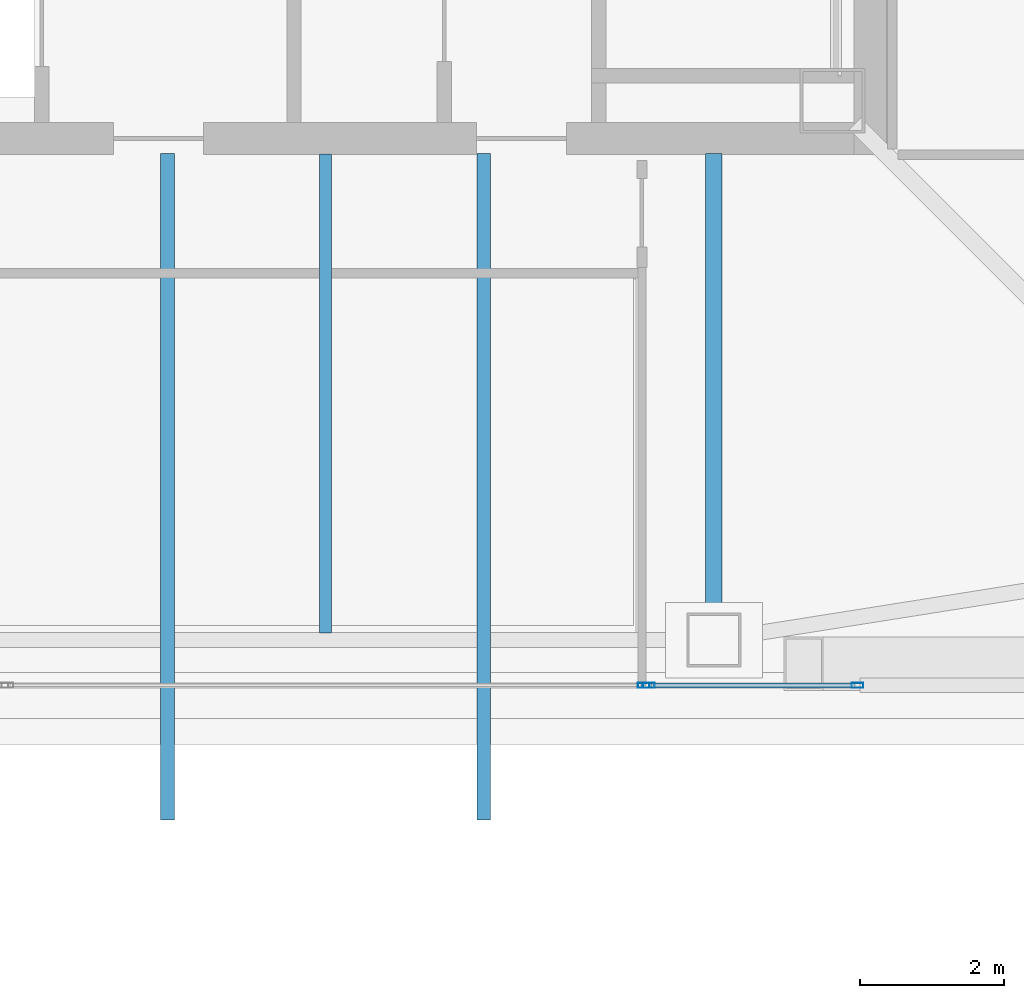
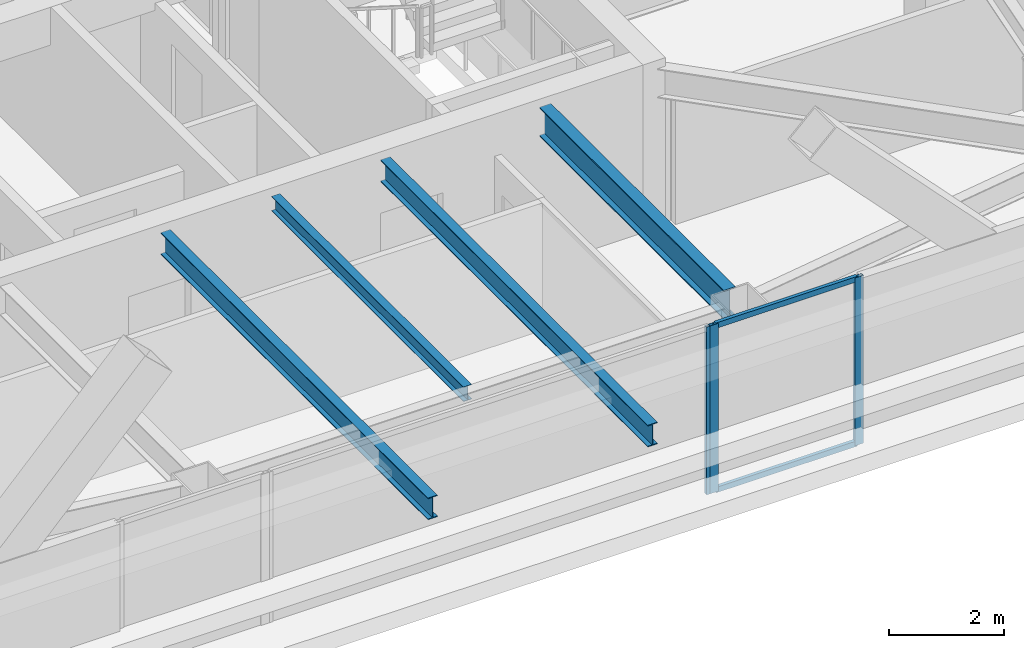
# One storey, part 8 of 37: 5 members, 4 beams, 2 elements without a shape of their own.
"""IFC4 building model written with IfcOpenShell, lengths in metres."""

from ifc_helpers import new_model, si_unit, direction, frame, origin, origin_2d, place, context, subcontext, project, spatial, hollow_rectangle, i_section, extrude, material, material_profile, profile_set, type_object, element, aggregate, save


model = new_model("IFC4")

# Units and contexts
model_context = context("Model", 3, precision=1e-05, world=origin(), true_north=direction((0.0, 1.0)))
body_context = subcontext(model_context, "Body", "Model", "MODEL_VIEW")
ifc_project = project(units=[si_unit("LENGTHUNIT", "METRE"), si_unit("AREAUNIT", "SQUARE_METRE"), si_unit("VOLUMEUNIT", "CUBIC_METRE"), si_unit("PLANEANGLEUNIT", "RADIAN"), si_unit("MASSUNIT", "GRAM", prefix="KILO")], contexts=[model_context])

# Site, building, storey
site_placement = place(None, origin())
site = spatial("IfcSite", under=ifc_project, at=site_placement, CompositionType="ELEMENT")
building_placement = place(site_placement, origin())
building = spatial("IfcBuilding", under=site, at=building_placement, Name="Tashvorn Skyway Center", CompositionType="ELEMENT")
storey_placement = place(building_placement, frame((0.0, 0.0, 263.39990234375)))
storey = spatial("IfcBuildingStorey", under=building, at=storey_placement, Name="L71", CompositionType="ELEMENT", Elevation=263.39990234375)

# Beams
ifc_material_1 = material(Name="Steel ASTM A992 Grade 50", Category="steel")
ifc_material_profile_1 = material_profile(ifc_material_1, i_section(OverallWidth=0.22998046875, OverallDepth=0.616943359375, WebThickness=0.01318359375, FlangeThickness=0.022216796875, at=origin_2d()), Name="W24X94")
ifc_profile_set_1 = profile_set([ifc_material_profile_1], Name="Steel ASTM A992 Grade 50")
beam_type_1 = type_object("IfcBeamType", Name="BM-BEAM-W24X94", PredefinedType="BEAM", material=ifc_profile_set_1)
beam_1_placement = place(storey_placement, frame((47.39990234375, 17.820068359375, 3.0615234375), z_axis=(0.0, 1.0, 0.0), x_axis=(-1.0, 0.0, 0.0)))
element("IfcBeam", 1, at=beam_1_placement, inside=storey, type_object=beam_type_1, Name="Tower 1 L71 Primary Floor Girder FC-S2", PredefinedType="BEAM", context=body_context, shape_type="SweptSolid", body=[
    extrude(i_section(OverallWidth=0.22998046875, OverallDepth=0.616943359375, WebThickness=0.01318359375, FlangeThickness=0.022216796875, at=origin_2d()), origin(), (0.0, 0.0, 1.0), 6.39990234375),
])
ifc_material_profile_2 = material_profile(ifc_material_1, i_section(OverallWidth=0.1650390625, OverallDepth=0.31005859375, WebThickness=0.005859375, FlangeThickness=0.009765625, at=origin_2d()), Name="W12X26")
ifc_profile_set_2 = profile_set([ifc_material_profile_2], Name="Steel ASTM A992 Grade 50")
beam_type_2 = type_object("IfcBeamType", Name="BM-JOIST-W12X26", PredefinedType="JOIST", material=ifc_profile_set_2)
beam_2_placement = place(storey_placement, frame((42.0, 24.2099609375, 3.215087890625), z_axis=(0.0, -1.0, 0.0), x_axis=(1.0, 0.0, 0.0)))
element("IfcBeam", 2, at=beam_2_placement, inside=storey, type_object=beam_type_2, Name="Tower 1 L71 Secondary Composite Joist JS", PredefinedType="JOIST", context=body_context, shape_type="SweptSolid", body=[
    extrude(i_section(OverallWidth=0.1650390625, OverallDepth=0.31005859375, WebThickness=0.005859375, FlangeThickness=0.009765625, at=origin_2d()), origin(), (0.0, 0.0, 1.0), 6.662353515625),
])
ifc_material_profile_3 = material_profile(ifc_material_1, i_section(OverallWidth=0.19091796875, OverallDepth=0.4599609375, WebThickness=0.010009765625, FlangeThickness=0.01611328125, at=origin_2d()), Name="W18X55")
ifc_profile_set_3 = profile_set([ifc_material_profile_3], Name="Steel ASTM A992 Grade 50")
beam_type_3 = type_object("IfcBeamType", Name="BM-JOIST-W18X55", PredefinedType="JOIST", material=ifc_profile_set_3)
for number, where, z_axis, x_axis, name in (
    (3, (39.800048828125, 24.219970703125, 3.14013671875), (0.0, -1.0, 0.0), (1.0, 0.0, 0.0), "Tower 1 L72 Terrace Cantilever Outlooker 1"),
    (4, (44.199951171875, 24.219970703125, 3.14013671875), (0.0, -1.0, 0.0), (1.0, 0.0, 0.0), "Tower 1 L72 Terrace Cantilever Outlooker 2"),
):
    element("IfcBeam", number, at=place(storey_placement, frame(where, z_axis=z_axis, x_axis=x_axis)), inside=storey, type_object=beam_type_3, Name=name, PredefinedType="JOIST", context=body_context, shape_type="SweptSolid", body=[
        extrude(i_section(OverallWidth=0.19091796875, OverallDepth=0.4599609375, WebThickness=0.010009765625, FlangeThickness=0.01611328125, at=origin_2d()), origin(), (0.0, 0.0, 1.0), 9.27001953125),
    ])

# Curtain wall, members
ifc_material_2 = material(Name="Thermally broken bronze-anodized aluminium 6063-T6", Category="aluminium")
curtain_wall_type = type_object("IfcCurtainWallType", Name="CW-CW-Z5", PredefinedType="NOTDEFINED", material=ifc_material_2)
curtain_wall_1_placement = place(storey_placement, origin())
curtain_wall_1 = element("IfcCurtainWall", 5, at=curtain_wall_1_placement, inside=storey, type_object=curtain_wall_type, Name="Tower 1 L71 South Unitised Curtain Wall Glazing Group 1", PredefinedType="NOTDEFINED")
ifc_material_profile_4 = material_profile(ifc_material_2, hollow_rectangle(XDim=0.070068359375, YDim=0.1650390625, WallThickness=0.00390625, at=origin_2d()), Name="ALU-MULL-70x165")
ifc_profile_set_4 = profile_set([ifc_material_profile_4], Name="Thermally broken bronze-anodized aluminium 6063-T6")
member_type_1 = type_object("IfcMemberType", Name="CWM-CW-Z5", PredefinedType="MULLION", material=ifc_profile_set_4)
member_1_placement = place(storey_placement, frame((49.398193359375, 16.820068359375, 0.0), z_axis=(0.0, 0.0, 1.0), x_axis=(0.0, -1.0, 0.0)))
member_1 = element("IfcMember", 6, at=member_1_placement, type_object=member_type_1, Name="CW-Z5 mullion 1", PredefinedType="MULLION", context=body_context, shape_type="SweptSolid", body=[
    extrude(hollow_rectangle(XDim=0.070068359375, YDim=0.1650390625, WallThickness=0.00390625, at=origin_2d()), origin(), (0.0, 0.0, 1.0), 3.550048828125),
])
member_2_placement = place(storey_placement, frame((46.4951171875, 16.820068359375, 0.0), z_axis=(0.0, 0.0, 1.0), x_axis=(0.0, -1.0, 0.0)))
member_2 = element("IfcMember", 7, at=member_2_placement, type_object=member_type_1, Name="CW-Z5 mullion 2", PredefinedType="MULLION", context=body_context, shape_type="SweptSolid", body=[
    extrude(hollow_rectangle(XDim=0.070068359375, YDim=0.1650390625, WallThickness=0.00390625, at=origin_2d()), origin(), (0.0, 0.0, 1.0), 3.550048828125),
])

# Curtain wall, member
curtain_wall_2_placement = place(storey_placement, origin())
curtain_wall_2 = element("IfcCurtainWall", 8, at=curtain_wall_2_placement, inside=storey, type_object=curtain_wall_type, Name="Tower 1 L71 South Unitised Curtain Wall Glazing Group 2", PredefinedType="NOTDEFINED")
member_3_placement = place(storey_placement, frame((46.425048828125, 16.820068359375, 0.0), z_axis=(0.0, 0.0, 1.0), x_axis=(0.0, -1.0, 0.0)))
member_3 = element("IfcMember", 9, at=member_3_placement, type_object=member_type_1, Name="CW-Z5 mullion 1", PredefinedType="MULLION", context=body_context, shape_type="SweptSolid", body=[
    extrude(hollow_rectangle(XDim=0.070068359375, YDim=0.1650390625, WallThickness=0.00390625, at=origin_2d()), origin(), (0.0, 0.0, 1.0), 3.550048828125),
])
aggregate(curtain_wall_2, [member_3])

# Member
ifc_material_profile_5 = material_profile(ifc_material_2, hollow_rectangle(XDim=0.070068359375, YDim=0.114990234375, WallThickness=0.00390625, at=origin_2d()), Name="ALU-TRAN-70x115")
ifc_profile_set_5 = profile_set([ifc_material_profile_5], Name="Thermally broken bronze-anodized aluminium 6063-T6")
member_type_2 = type_object("IfcMemberType", Name="CWT-CW-Z5", PredefinedType="USERDEFINED", material=ifc_profile_set_5)
member_4_placement = place(storey_placement, frame((49.36328125, 16.820068359375, 0.03515625), z_axis=(-1.0, 0.0, 0.0), x_axis=(0.0, -1.0, 0.0)))
member_4 = element("IfcMember", 10, at=member_4_placement, type_object=member_type_2, Name="CW-Z5 transom 1.1", ObjectType="TRANSOM", PredefinedType="USERDEFINED", context=body_context, shape_type="SweptSolid", body=[
    extrude(hollow_rectangle(XDim=0.070068359375, YDim=0.114990234375, WallThickness=0.00390625, at=origin_2d()), origin(), (0.0, 0.0, 1.0), 2.833251953125),
])

member_5_placement = place(storey_placement, frame((49.36328125, 16.820068359375, 3.51513671875), z_axis=(-1.0, 0.0, 0.0), x_axis=(0.0, -1.0, 0.0)))
member_5 = element("IfcMember", 11, at=member_5_placement, type_object=member_type_2, Name="CW-Z5 transom 1.2", ObjectType="TRANSOM", PredefinedType="USERDEFINED", context=body_context, shape_type="SweptSolid", body=[
    extrude(hollow_rectangle(XDim=0.070068359375, YDim=0.114990234375, WallThickness=0.00390625, at=origin_2d()), origin(), (0.0, 0.0, 1.0), 2.833251953125),
])

aggregate(curtain_wall_1, [member_1, member_2, member_4, member_5])

save(model, "model.ifc")
